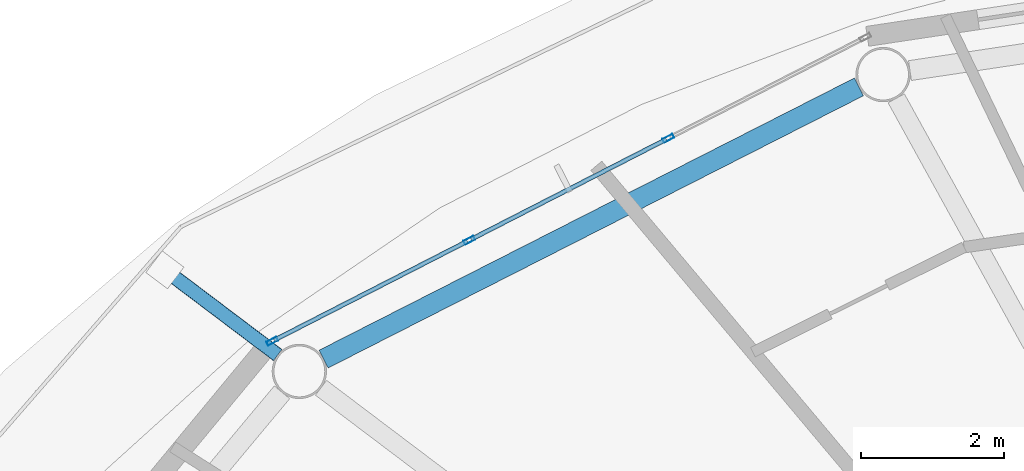
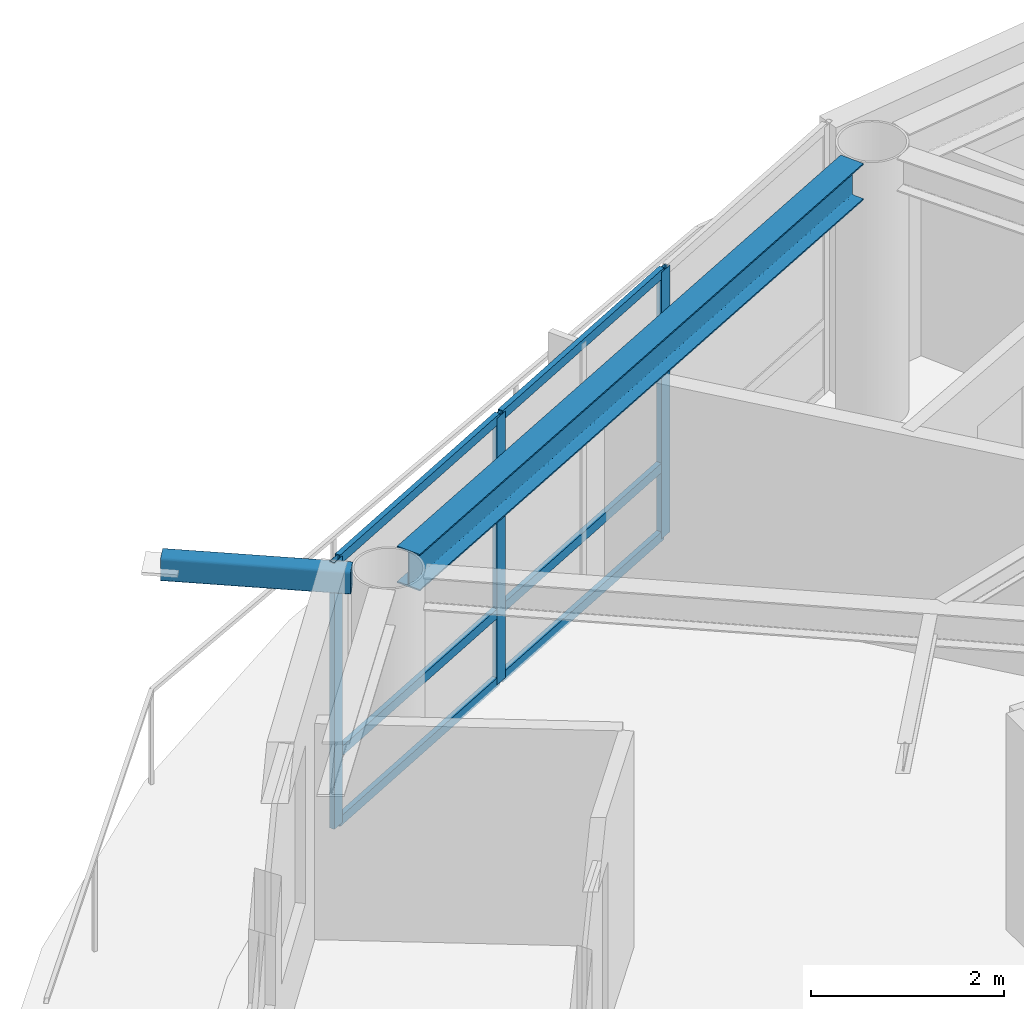
# One storey, part 8 of 23: 10 members, 1 beam, 1 element without a shape of its own.
"""IFC4 building model written with IfcOpenShell, lengths in metres."""

import ifcopenshell
import ifcopenshell.guid

model = None  # the IFC model being written
_history = None  # IfcOwnerHistory: only IFC2X3 demands one
_inside = {}  # id of a spatial element -> (the spatial element, [elements in it])
_under = {}  # id of a project, library or spatial element -> (it, [spatial elements below it])
_declared = {}  # id of a project -> (the project, [libraries it declares])
_typed = {}  # id of a type object -> (the type object, [elements of that type])
_made_of = {}  # id of a material, layer set ... -> (it, [elements and type objects made of it])


def new_model(schema):
    """Start an empty IFC model of exactly this schema.

    Asked for "IFC4X3", IfcOpenShell would pick the latest addendum, in which some entities
    have other attributes; the version numbers below select the first issue.
    IFC2X3 requires an IfcOwnerHistory on every rooted entity: one is made here for all.
    """
    global model, _history
    if schema == "IFC4X3":
        model = ifcopenshell.file(schema_version=(4, 3, 0, 0))
    else:
        model = ifcopenshell.file(schema=schema)
    _inside.clear()
    _under.clear()
    _declared.clear()
    _typed.clear()
    _made_of.clear()
    _history = None
    if model.schema == "IFC2X3":
        org = make("IfcOrganization", Name="unknown")
        user = make(
            "IfcPersonAndOrganization",
            ThePerson=make("IfcPerson", FamilyName="unknown"),
            TheOrganization=org,
        )
        app = make(
            "IfcApplication",
            ApplicationDeveloper=org,
            Version="unknown",
            ApplicationFullName="unknown",
            ApplicationIdentifier="unknown",
        )
        _history = make(
            "IfcOwnerHistory",
            OwningUser=user,
            OwningApplication=app,
            ChangeAction="ADDED",
            CreationDate=0,
        )
    return model


def make(cls, **values):
    """One entity of the class cls with the attributes given. An attribute that is None is left unset."""
    return model.create_entity(
        cls, **{name: value for name, value in values.items() if value is not None}
    )


def rooted(cls, **values):
    """An entity with a GlobalId (a new one), such as an element, a storey or a relation."""
    return make(cls, GlobalId=ifcopenshell.guid.new(), OwnerHistory=_history, **values)


def si_unit(unit_type, name, prefix=None):
    """IfcSIUnit, for example si_unit("LENGTHUNIT", "METRE", prefix="MILLI")."""
    return make("IfcSIUnit", UnitType=unit_type, Prefix=prefix, Name=name)


def assignment(units):
    """IfcUnitAssignment: the units of a project."""
    return None if units is None else make("IfcUnitAssignment", Units=units)


def point(xyz):
    """IfcCartesianPoint."""
    return None if xyz is None else make("IfcCartesianPoint", Coordinates=xyz)


def direction(xyz):
    """IfcDirection."""
    return None if xyz is None else make("IfcDirection", DirectionRatios=xyz)


def frame(location, z_axis=None, x_axis=None):
    """IfcAxis2Placement3D, a coordinate frame: its origin and axes. An axis left out is left unset."""
    return make(
        "IfcAxis2Placement3D",
        Location=point(location),
        Axis=direction(z_axis),
        RefDirection=direction(x_axis),
    )


def frame_2d(location, x_axis=None):
    """IfcAxis2Placement2D, a coordinate frame in the plane: its origin and x axis."""
    return make(
        "IfcAxis2Placement2D", Location=point(location), RefDirection=direction(x_axis)
    )


def origin():
    """The frame at (0, 0, 0) with its axes left unset."""
    return frame((0.0, 0.0, 0.0))


def origin_2d():
    """The frame at (0, 0) in the plane with its x axis left unset."""
    return frame_2d((0.0, 0.0))


def place(relative_to, where):
    """IfcLocalPlacement: puts the frame where relative to a parent placement (None: the world)."""
    return make(
        "IfcLocalPlacement", PlacementRelTo=relative_to, RelativePlacement=where
    )


def context(
    kind, dimensions, precision=None, world=None, true_north=None, identifier=None
):
    """IfcGeometricRepresentationContext, for example the 3D "Model" context."""
    return make(
        "IfcGeometricRepresentationContext",
        ContextIdentifier=identifier,
        ContextType=kind,
        CoordinateSpaceDimension=dimensions,
        Precision=precision,
        WorldCoordinateSystem=world,
        TrueNorth=true_north,
    )


def subcontext(parent, identifier, kind, view, scale=None):
    """IfcGeometricRepresentationSubContext, for example "Body" below "Model"."""
    return make(
        "IfcGeometricRepresentationSubContext",
        ContextIdentifier=identifier,
        ContextType=kind,
        ParentContext=parent,
        TargetScale=scale,
        TargetView=view,
    )


def project(units=None, contexts=None):
    """IfcProject with its units and contexts."""
    return rooted(
        "IfcProject",
        Name="project",
        RepresentationContexts=contexts,
        UnitsInContext=assignment(units),
    )


def spatial(cls, under=None, at=None, **own):
    """A site, building, storey or space (cls), placed at a placement, below another one or the project."""
    s = rooted(cls, ObjectPlacement=at, **own)
    if under is not None:
        _under.setdefault(under.id(), (under, []))[1].append(s)
    return s


def profile(cls, at=None, kind="AREA", **sizes):
    """A parametric profile (cls). Its sizes go by their IFC names, for example OverallWidth=200.0."""
    return make(cls, ProfileType=kind, Position=at, **sizes)


def hollow_rectangle(**sizes):
    """IfcRectangleHollowProfileDef."""
    return profile("IfcRectangleHollowProfileDef", **sizes)


def i_section(**sizes):
    """IfcIShapeProfileDef."""
    return profile("IfcIShapeProfileDef", **sizes)


def extrude(swept, where, along, depth):
    """IfcExtrudedAreaSolid: the profile swept, set in the frame where, extruded along a direction by depth."""
    return make(
        "IfcExtrudedAreaSolid",
        SweptArea=swept,
        Position=where,
        ExtrudedDirection=direction(along),
        Depth=depth,
    )


def shape(context_of_items, identifier, shape_type, items):
    """IfcShapeRepresentation: the items that make up one representation, for example the "Body"."""
    return make(
        "IfcShapeRepresentation",
        ContextOfItems=context_of_items,
        RepresentationIdentifier=identifier,
        RepresentationType=shape_type,
        Items=items,
    )


def material(Name=None, Category=None):
    """IfcMaterial."""
    return make("IfcMaterial", Name=Name, Category=Category)


def layer(
    of_material, thickness, ventilated=None, Name=None, Category=None, Priority=None
):
    """IfcMaterialLayer: one layer of a wall or slab, of a material (None: an air gap)."""
    return make(
        "IfcMaterialLayer",
        Material=of_material,
        LayerThickness=thickness,
        IsVentilated=ventilated,
        Name=Name,
        Category=Category,
        Priority=Priority,
    )


def layer_set(layers, Name=None):
    """IfcMaterialLayerSet."""
    return make("IfcMaterialLayerSet", MaterialLayers=layers, LayerSetName=Name)


def material_profile(
    of_material, cross_section, Name=None, Category=None, Priority=None
):
    """IfcMaterialProfile: a cross section and its material."""
    return make(
        "IfcMaterialProfile",
        Name=Name,
        Material=of_material,
        Profile=cross_section,
        Priority=Priority,
        Category=Category,
    )


def profile_set(profiles, Name=None, composite=None):
    """IfcMaterialProfileSet."""
    return make(
        "IfcMaterialProfileSet",
        Name=Name,
        MaterialProfiles=profiles,
        CompositeProfile=composite,
    )


def made_of(thing, what):
    """Note that an element or type object is made of a material, layer set ...; save() writes the relation."""
    if what is not None:
        _made_of.setdefault(what.id(), (what, []))[1].append(thing)
    return thing


def type_object(cls, material=None, **own):
    """A type object (cls), such as IfcWallType, which elements share."""
    return made_of(rooted(cls, **own), material)


def element(
    cls,
    number,
    at=None,
    inside=None,
    cuts=None,
    type_object=None,
    material=None,
    context=None,
    identifier="Body",
    shape_type=None,
    held_by="IfcProductDefinitionShape",
    body=None,
    shapes=None,
    **own,
):
    """One element of the class cls, such as IfcWall. Its Tag is "e" and its number.

    at: its placement. inside: the storey or other place that contains it. cuts: it is an
    opening in that element (IfcRelVoidsElement). A single representation is given by context,
    identifier, shape_type and body (its items); several are given by shapes. held_by: the class
    of the entity that holds the representations. save() writes the other relations.
    """
    e = rooted(cls, Tag="e%d" % number, ObjectPlacement=at, **own)
    if body is not None:
        shapes = [shape(context, identifier, shape_type, body)]
    if shapes is not None:
        e.Representation = make(held_by, Representations=shapes)
    if inside is not None:
        _inside.setdefault(inside.id(), (inside, []))[1].append(e)
    if cuts is not None:
        rooted(
            "IfcRelVoidsElement", RelatingBuildingElement=cuts, RelatedOpeningElement=e
        )
    if type_object is not None:
        _typed.setdefault(type_object.id(), (type_object, []))[1].append(e)
    return made_of(e, material)


def aggregate(whole, parts):
    """IfcRelAggregates: a whole, such as a stair, and the parts it consists of."""
    return rooted("IfcRelAggregates", RelatingObject=whole, RelatedObjects=parts)


def save(model, path):
    """Write the relations noted so far, then the file.

    IfcRelAggregates (storeys below a building ...), IfcRelContainedInSpatialStructure (elements
    in a storey), IfcRelDefinesByType, IfcRelAssociatesMaterial and IfcRelDeclares: one each for
    every whole, place, type object, material and project.
    """
    for whole, parts in _under.values():
        aggregate(whole, parts)
    for where, things in _inside.values():
        rooted(
            "IfcRelContainedInSpatialStructure",
            RelatedElements=things,
            RelatingStructure=where,
        )
    for kind, things in _typed.values():
        rooted("IfcRelDefinesByType", RelatedObjects=things, RelatingType=kind)
    for what, things in _made_of.values():
        rooted("IfcRelAssociatesMaterial", RelatedObjects=things, RelatingMaterial=what)
    for by, libraries in _declared.values():
        rooted("IfcRelDeclares", RelatingContext=by, RelatedDefinitions=libraries)
    model.write(path)


model = new_model("IFC4")

# Units and contexts
model_context = context("Model", 3, precision=1e-05, world=origin(), true_north=direction((0.0, 1.0)))
body_context = subcontext(model_context, "Body", "Model", "MODEL_VIEW")
ifc_project = project(units=[si_unit("LENGTHUNIT", "METRE"), si_unit("AREAUNIT", "SQUARE_METRE"), si_unit("VOLUMEUNIT", "CUBIC_METRE"), si_unit("PLANEANGLEUNIT", "RADIAN"), si_unit("MASSUNIT", "GRAM", prefix="KILO")], contexts=[model_context])

# Site, building, storey
site_placement = place(None, origin())
site = spatial("IfcSite", under=ifc_project, at=site_placement, CompositionType="ELEMENT")
building_placement = place(site_placement, origin())
building = spatial("IfcBuilding", under=site, at=building_placement, Name="Sarneth Arch Tower", CompositionType="ELEMENT")
storey_placement = place(building_placement, frame((0.0, 0.0, 265.800048828125)))
storey = spatial("IfcBuildingStorey", under=building, at=storey_placement, Name="L68", CompositionType="ELEMENT", Elevation=265.800048828125)

# Beam
ifc_material_1 = material(Name="Steel S355", Category="steel")
ifc_material_profile_1 = material_profile(ifc_material_1, i_section(OverallWidth=0.280029296875, OverallDepth=0.462890625, WebThickness=0.0107421875, FlangeThickness=0.017333984375, FilletRadius=0.01806640625, at=origin_2d()), Name="W460x113")
ifc_profile_set_1 = profile_set([ifc_material_profile_1], Name="Steel S355")
beam_type = type_object("IfcBeamType", Name="BM-RAD-460A", PredefinedType="BEAM", material=ifc_profile_set_1)
beam_placement = place(storey_placement, frame((37.86962890625, 59.565673828125, 3.138427734375), z_axis=(-0.891373613492, -0.453269325204, 0.0), x_axis=(0.453269325204, -0.891373613492, 0.0)))
element("IfcBeam", 1, at=beam_placement, inside=storey, type_object=beam_type, Name="L68 Perimeter spandrel beam 06", PredefinedType="BEAM", context=body_context, shape_type="SweptSolid", body=[
    extrude(i_section(OverallWidth=0.280029296875, OverallDepth=0.462890625, WebThickness=0.0107421875, FlangeThickness=0.017333984375, FilletRadius=0.01806640625, at=origin_2d()), origin(), (0.0, 0.0, 1.0), 8.419677734375),
])

# Curtain wall, members
ifc_material_2 = material(Name="Anodised aluminium Type AA25 and solar-control low-e laminated IGU", Category="aluminium")
ifc_layer = layer(ifc_material_2, 0.179931640625)
ifc_layer_set = layer_set([ifc_layer], Name="Anodised aluminium Type AA25 and solar-control low-e laminated IGU")
curtain_wall_type = type_object("IfcCurtainWallType", Name="CW-RES-HIGH", PredefinedType="NOTDEFINED", material=ifc_layer_set)
curtain_wall_placement = place(storey_placement, origin())
curtain_wall = element("IfcCurtainWall", 2, at=curtain_wall_placement, inside=storey, type_object=curtain_wall_type, Name="L68 Unitised curtain wall facet 06", PredefinedType="NOTDEFINED")
ifc_material_3 = material(Name="Anodised Aluminium 6063-T6", Category="aluminium")
ifc_material_profile_2 = material_profile(ifc_material_3, hollow_rectangle(XDim=0.06005859375, YDim=0.159912109375, WallThickness=0.00390625, at=origin_2d()), Name="AL-MULL-160x60x4")
ifc_profile_set_2 = profile_set([ifc_material_profile_2], Name="Anodised Aluminium 6063-T6")
member_type_1 = type_object("IfcMemberType", Name="CW-MULLION", PredefinedType="MULLION", material=ifc_profile_set_2)
member_1_placement = place(storey_placement, frame((35.197509765625, 58.844970703125, 0.0), z_axis=(0.0, 0.0, 1.0), x_axis=(0.455941901753, -0.890009540525, 0.0)))
member_1 = element("IfcMember", 3, at=member_1_placement, type_object=member_type_1, Name="CW-SYS-6 mullion 2", PredefinedType="MULLION", context=body_context, shape_type="SweptSolid", body=[
    extrude(hollow_rectangle(XDim=0.06005859375, YDim=0.159912109375, WallThickness=0.00390625, at=origin_2d()), origin(), (0.0, 0.0, 1.0), 3.369873046875),
])
member_2_placement = place(storey_placement, frame((32.407470703125, 57.415771484375, 0.0), z_axis=(0.0, 0.0, 1.0), x_axis=(0.455941901753, -0.890009540525, 0.0)))
member_2 = element("IfcMember", 4, at=member_2_placement, type_object=member_type_1, Name="CW-SYS-6 mullion 3", PredefinedType="MULLION", context=body_context, shape_type="SweptSolid", body=[
    extrude(hollow_rectangle(XDim=0.06005859375, YDim=0.159912109375, WallThickness=0.00390625, at=origin_2d()), origin(), (0.0, 0.0, 1.0), 3.369873046875),
])
member_3_placement = place(storey_placement, frame((29.644287109375, 56.000244140625, 0.0), z_axis=(0.0, 0.0, 1.0), x_axis=(0.455941901753, -0.890009540525, 0.0)))
member_3 = element("IfcMember", 5, at=member_3_placement, type_object=member_type_1, Name="CW-SYS-6 mullion 4", PredefinedType="MULLION", context=body_context, shape_type="SweptSolid", body=[
    extrude(hollow_rectangle(XDim=0.06005859375, YDim=0.159912109375, WallThickness=0.00390625, at=origin_2d()), origin(), (0.0, 0.0, 1.0), 3.369873046875),
])
ifc_material_4 = material(Name="Anodised Aluminium 6063-T6", Category="aluminium")
ifc_material_profile_3 = material_profile(ifc_material_4, hollow_rectangle(XDim=0.06005859375, YDim=0.1201171875, WallThickness=0.00390625, at=origin_2d()), Name="AL-TRAN-120x60x4")
ifc_profile_set_3 = profile_set([ifc_material_profile_3], Name="Anodised Aluminium 6063-T6")
member_type_2 = type_object("IfcMemberType", Name="CW-TRANSOM", PredefinedType="USERDEFINED", material=ifc_profile_set_3)
member_4_placement = place(storey_placement, frame((35.170654296875, 58.831298828125, 0.030029296875), z_axis=(-0.890017432405, -0.455926496286, 0.0), x_axis=(0.455926496286, -0.890017432405, 0.0)))
member_4 = element("IfcMember", 6, at=member_4_placement, type_object=member_type_2, Name="CW-SYS-6 transom 2.1", ObjectType="TRANSOM", PredefinedType="USERDEFINED", context=body_context, shape_type="SweptSolid", body=[
    extrude(hollow_rectangle(XDim=0.06005859375, YDim=0.1201171875, WallThickness=0.00390625, at=origin_2d()), origin(), (0.0, 0.0, 1.0), 3.07470703125),
])
member_5_placement = place(storey_placement, frame((35.170654296875, 58.831298828125, 0.89990234375), z_axis=(-0.890017432405, -0.455926496286, 0.0), x_axis=(0.455926496286, -0.890017432405, 0.0)))
member_5 = element("IfcMember", 7, at=member_5_placement, type_object=member_type_2, Name="CW-SYS-6 transom 2.2", ObjectType="TRANSOM", PredefinedType="USERDEFINED", context=body_context, shape_type="SweptSolid", body=[
    extrude(hollow_rectangle(XDim=0.06005859375, YDim=0.1201171875, WallThickness=0.00390625, at=origin_2d()), origin(), (0.0, 0.0, 1.0), 3.07470703125),
])
member_6_placement = place(storey_placement, frame((35.170654296875, 58.831298828125, 3.33984375), z_axis=(-0.890017432405, -0.455926496286, 0.0), x_axis=(0.455926496286, -0.890017432405, 0.0)))
member_6 = element("IfcMember", 8, at=member_6_placement, type_object=member_type_2, Name="CW-SYS-6 transom 2.3", ObjectType="TRANSOM", PredefinedType="USERDEFINED", context=body_context, shape_type="SweptSolid", body=[
    extrude(hollow_rectangle(XDim=0.06005859375, YDim=0.1201171875, WallThickness=0.00390625, at=origin_2d()), origin(), (0.0, 0.0, 1.0), 3.07470703125),
])
member_7_placement = place(storey_placement, frame((32.380859375, 57.402099609375, 0.030029296875), z_axis=(-0.890022732705, -0.455916149384, 0.0), x_axis=(0.455916149384, -0.890022732705, 0.0)))
member_7 = element("IfcMember", 9, at=member_7_placement, type_object=member_type_2, Name="CW-SYS-6 transom 3.1", ObjectType="TRANSOM", PredefinedType="USERDEFINED", context=body_context, shape_type="SweptSolid", body=[
    extrude(hollow_rectangle(XDim=0.06005859375, YDim=0.1201171875, WallThickness=0.00390625, at=origin_2d()), origin(), (0.0, 0.0, 1.0), 3.044921875),
])
member_8_placement = place(storey_placement, frame((32.380859375, 57.402099609375, 0.89990234375), z_axis=(-0.890022732705, -0.455916149384, 0.0), x_axis=(0.455916149384, -0.890022732705, 0.0)))
member_8 = element("IfcMember", 10, at=member_8_placement, type_object=member_type_2, Name="CW-SYS-6 transom 3.2", ObjectType="TRANSOM", PredefinedType="USERDEFINED", context=body_context, shape_type="SweptSolid", body=[
    extrude(hollow_rectangle(XDim=0.06005859375, YDim=0.1201171875, WallThickness=0.00390625, at=origin_2d()), origin(), (0.0, 0.0, 1.0), 3.044921875),
])
member_9_placement = place(storey_placement, frame((32.380859375, 57.402099609375, 3.33984375), z_axis=(-0.890022732705, -0.455916149384, 0.0), x_axis=(0.455916149384, -0.890022732705, 0.0)))
member_9 = element("IfcMember", 11, at=member_9_placement, type_object=member_type_2, Name="CW-SYS-6 transom 3.3", ObjectType="TRANSOM", PredefinedType="USERDEFINED", context=body_context, shape_type="SweptSolid", body=[
    extrude(hollow_rectangle(XDim=0.06005859375, YDim=0.1201171875, WallThickness=0.00390625, at=origin_2d()), origin(), (0.0, 0.0, 1.0), 3.044921875),
])
aggregate(curtain_wall, [member_1, member_2, member_3, member_4, member_5, member_6, member_7, member_8, member_9])

# Member
ifc_material_5 = material(Name="Steel S355", Category="steel")
ifc_material_profile_4 = material_profile(ifc_material_5, hollow_rectangle(XDim=0.199951171875, YDim=0.300048828125, WallThickness=0.012451171875, InnerFilletRadius=0.018798828125, OuterFilletRadius=0.03125, at=origin_2d()), Name="RHS300x200x12.5")
ifc_profile_set_4 = profile_set([ifc_material_profile_4], Name="Steel S355")
member_type_3 = type_object("IfcMemberType", Name="MEM-CANT-STRUT", PredefinedType="STRUT", material=ifc_profile_set_4)
member_10_placement = place(storey_placement, frame((29.720703125, 55.80615234375, 3.2099609375), z_axis=(-0.798000267782, 0.602657093727, 0.0), x_axis=(-0.602657093727, -0.798000267782, 0.0)))
element("IfcMember", 12, at=member_10_placement, inside=storey, type_object=member_type_3, Name="L68 Balcony cantilever bracket 07", PredefinedType="STRUT", context=body_context, shape_type="SweptSolid", body=[
    extrude(hollow_rectangle(XDim=0.199951171875, YDim=0.300048828125, WallThickness=0.012451171875, InnerFilletRadius=0.018798828125, OuterFilletRadius=0.03125, at=origin_2d()), origin(), (0.0, 0.0, 1.0), 1.982177734375),
])

save(model, "model.ifc")
